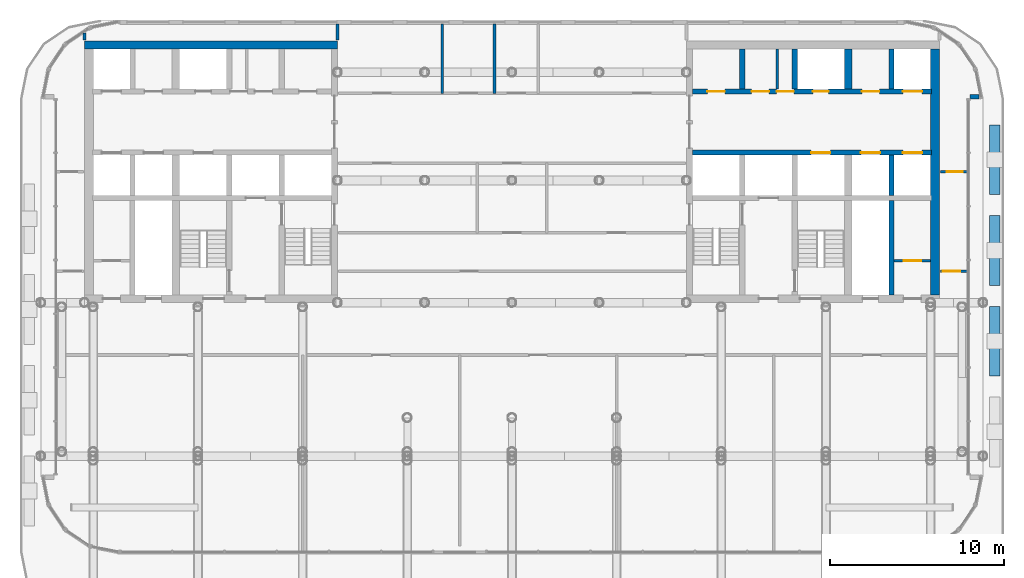
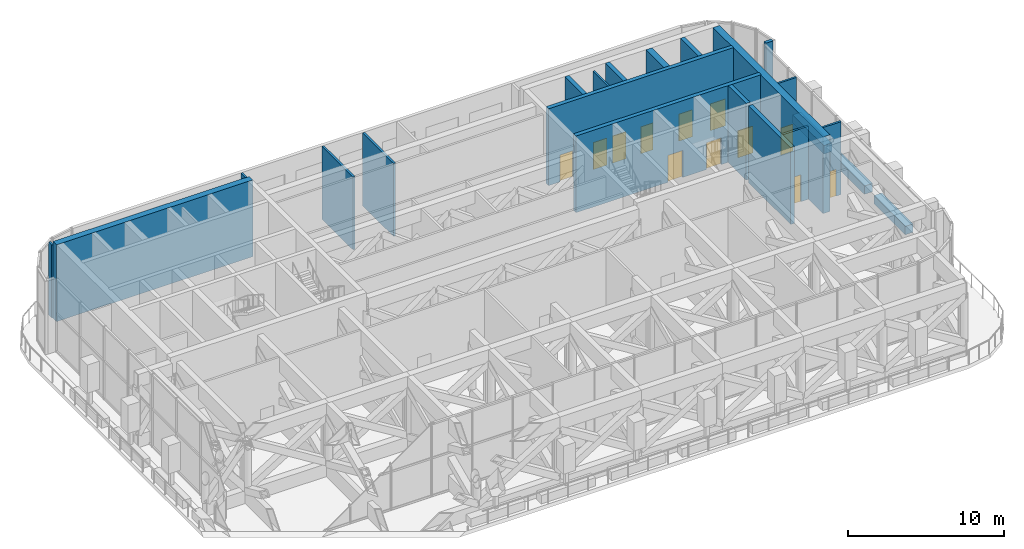
# One storey, part 14 of 20: 22 walls, 12 doors, 12 openings.
"""IFC4 building model written with IfcOpenShell, lengths in metres."""

from ifc_helpers import new_model, si_unit, direction, frame, frame_2d, origin, place, context, subcontext, project, spatial, rectangle, extrude, material, layer, layer_set, type_object, element, fill, save


model = new_model("IFC4")

# Units and contexts
model_context = context("Model", 3, precision=1e-05, world=origin(), true_north=direction((0.0, 1.0)))
body_context = subcontext(model_context, "Body", "Model", "MODEL_VIEW")
ifc_project = project(units=[si_unit("LENGTHUNIT", "METRE"), si_unit("AREAUNIT", "SQUARE_METRE"), si_unit("VOLUMEUNIT", "CUBIC_METRE"), si_unit("PLANEANGLEUNIT", "RADIAN"), si_unit("MASSUNIT", "GRAM", prefix="KILO")], contexts=[model_context])

# Site, building, storey
site_placement = place(None, origin())
site = spatial("IfcSite", under=ifc_project, at=site_placement, CompositionType="ELEMENT")
building_placement = place(site_placement, origin())
building = spatial("IfcBuilding", under=site, at=building_placement, Name="Torana Hotel and Residences", CompositionType="ELEMENT")
storey_placement = place(building_placement, frame((0.0, 0.0, 177.60009765625)))
storey = spatial("IfcBuildingStorey", under=building, at=storey_placement, Name="L46", CompositionType="ELEMENT", Elevation=177.60009765625)

# Wall, openings, doors
ifc_material_1 = material(Name="Concrete C70/85", Category="concrete")
ifc_layer_1 = layer(ifc_material_1, 0.300048828125)
ifc_layer_set_1 = layer_set([ifc_layer_1], Name="CORE WALL 300 C70/85")
wall_type_1 = type_object("IfcWallType", Name="CORE WALL 300 C70/85", PredefinedType="SHEAR", material=ifc_layer_set_1)
wall_1_placement = place(storey_placement, frame((10.35009765625, -2.89990234375, 0.0), z_axis=(0.0, 0.0, 1.0), x_axis=(1.0, 0.0, 0.0)))
wall_1 = element("IfcWall", 1, at=wall_1_placement, inside=storey, type_object=wall_type_1, Name="Core wall E row-N", PredefinedType="SHEAR", context=body_context, shape_type="SweptSolid", body=[
    extrude(rectangle(XDim=13.699951171875, YDim=0.300048828125, at=frame_2d((6.85009765625, 0.0))), origin(), (0.0, 0.0, 1.0), 6.0),
])
opening_1_placement = place(wall_1_placement, frame((12.050048828125, 0.0, 0.0)))
opening_1 = element("IfcOpeningElement", 2, at=opening_1_placement, cuts=wall_1, Name="Opening LD", PredefinedType="OPENING", context=body_context, shape_type="SweptSolid", body=[
    extrude(rectangle(XDim=1.10009765625, YDim=2.10009765625, at=frame_2d((0.550048828125, 1.050048828125))), frame((0.0, 0.159912109375, 0.0), z_axis=(0.0, -1.0, 0.0), x_axis=(1.0, 0.0, 0.0)), (0.0, 0.0, 1.0), 0.320068359375),
])
opening_2_placement = place(wall_1_placement, frame((6.89990234375, 0.0, 0.0)))
opening_2 = element("IfcOpeningElement", 3, at=opening_2_placement, cuts=wall_1, Name="Opening L46-22", PredefinedType="OPENING", context=body_context, shape_type="SweptSolid", body=[
    extrude(rectangle(XDim=0.89990234375, YDim=2.10009765625, at=frame_2d((0.449951171875, 1.050048828125))), frame((0.0, 0.159912109375, 0.0), z_axis=(0.0, -1.0, 0.0), x_axis=(1.0, 0.0, 0.0)), (0.0, 0.0, 1.0), 0.320068359375),
])
opening_3_placement = place(wall_1_placement, frame((0.85009765625, 0.0, 0.0)))
opening_3 = element("IfcOpeningElement", 4, at=opening_3_placement, cuts=wall_1, Name="Opening L46-23", PredefinedType="OPENING", context=body_context, shape_type="SweptSolid", body=[
    extrude(rectangle(XDim=1.0, YDim=2.10009765625, at=frame_2d((0.5, 1.050048828125))), frame((0.0, 0.159912109375, 0.0), z_axis=(0.0, -1.0, 0.0), x_axis=(1.0, 0.0, 0.0)), (0.0, 0.0, 1.0), 0.320068359375),
])
opening_4_placement = place(wall_1_placement, frame((3.387451171875, 0.0, 0.0)))
opening_4 = element("IfcOpeningElement", 5, at=opening_4_placement, cuts=wall_1, Name="Opening L46-24", PredefinedType="OPENING", context=body_context, shape_type="SweptSolid", body=[
    extrude(rectangle(XDim=1.0, YDim=2.10009765625, at=frame_2d((0.5, 1.050048828125))), frame((0.0, 0.159912109375, 0.0), z_axis=(0.0, -1.0, 0.0), x_axis=(1.0, 0.0, 0.0)), (0.0, 0.0, 1.0), 0.320068359375),
])
opening_5_placement = place(wall_1_placement, frame((4.8125, 0.0, 0.0)))
opening_5 = element("IfcOpeningElement", 6, at=opening_5_placement, cuts=wall_1, Name="Opening L46-25", PredefinedType="OPENING", context=body_context, shape_type="SweptSolid", body=[
    extrude(rectangle(XDim=1.0, YDim=2.10009765625, at=frame_2d((0.5, 1.050048828125))), frame((0.0, 0.159912109375, 0.0), z_axis=(0.0, -1.0, 0.0), x_axis=(1.0, 0.0, 0.0)), (0.0, 0.0, 1.0), 0.320068359375),
])
opening_6_placement = place(wall_1_placement, frame((9.699951171875, 0.0, 0.0)))
opening_6 = element("IfcOpeningElement", 7, at=opening_6_placement, cuts=wall_1, Name="Opening L46-26", PredefinedType="OPENING", context=body_context, shape_type="SweptSolid", body=[
    extrude(rectangle(XDim=1.0, YDim=2.10009765625, at=frame_2d((0.5, 1.050048828125))), frame((0.0, 0.159912109375, 0.0), z_axis=(0.0, -1.0, 0.0), x_axis=(1.0, 0.0, 0.0)), (0.0, 0.0, 1.0), 0.320068359375),
])
ifc_material_2 = material(Name="Steel S235", Category="steel")
door_type_1 = type_object("IfcDoorType", Name="CORE ROOM FIRE DOOR D14 1000x2100", OperationType="SINGLE_SWING_LEFT", PredefinedType="DOOR", material=ifc_material_2)
door_1_placement = place(opening_3_placement, origin())
door_1 = element("IfcDoor", 8, at=door_1_placement, inside=storey, type_object=door_type_1, Name="N0 door L46", OperationType="SINGLE_SWING_RIGHT", OverallHeight=2.10009765625, OverallWidth=1.0, PredefinedType="DOOR", context=body_context, shape_type="SweptSolid", body=[
    extrude(rectangle(XDim=1.0, YDim=2.10009765625, at=frame_2d((0.5, 1.050048828125))), frame((0.0, 0.02490234375, 0.0), z_axis=(0.0, -1.0, 0.0), x_axis=(1.0, 0.0, 0.0)), (0.0, 0.0, 1.0), 0.050048828125),
])
fill(opening_3, door_1)
door_2_placement = place(opening_4_placement, origin())
door_2 = element("IfcDoor", 9, at=door_2_placement, inside=storey, type_object=door_type_1, Name="N1A door L46", OperationType="SINGLE_SWING_RIGHT", OverallHeight=2.10009765625, OverallWidth=1.0, PredefinedType="DOOR", context=body_context, shape_type="SweptSolid", body=[
    extrude(rectangle(XDim=1.0, YDim=2.10009765625, at=frame_2d((0.5, 1.050048828125))), frame((0.0, 0.02490234375, 0.0), z_axis=(0.0, -1.0, 0.0), x_axis=(1.0, 0.0, 0.0)), (0.0, 0.0, 1.0), 0.050048828125),
])
fill(opening_4, door_2)
door_3_placement = place(opening_5_placement, origin())
door_3 = element("IfcDoor", 10, at=door_3_placement, inside=storey, type_object=door_type_1, Name="N1B door L46", OperationType="SINGLE_SWING_LEFT", OverallHeight=2.10009765625, OverallWidth=1.0, PredefinedType="DOOR", context=body_context, shape_type="SweptSolid", body=[
    extrude(rectangle(XDim=1.0, YDim=2.10009765625, at=frame_2d((0.5, 1.050048828125))), frame((0.0, 0.02490234375, 0.0), z_axis=(0.0, -1.0, 0.0), x_axis=(1.0, 0.0, 0.0)), (0.0, 0.0, 1.0), 0.050048828125),
])
fill(opening_5, door_3)
door_4_placement = place(opening_6_placement, origin())
door_4 = element("IfcDoor", 11, at=door_4_placement, inside=storey, type_object=door_type_1, Name="Freed-S2 door L46", OperationType="SINGLE_SWING_RIGHT", OverallHeight=2.10009765625, OverallWidth=1.0, PredefinedType="DOOR", context=body_context, shape_type="SweptSolid", body=[
    extrude(rectangle(XDim=1.0, YDim=2.10009765625, at=frame_2d((0.5, 1.050048828125))), frame((0.0, 0.02490234375, 0.0), z_axis=(0.0, -1.0, 0.0), x_axis=(1.0, 0.0, 0.0)), (0.0, 0.0, 1.0), 0.050048828125),
])
fill(opening_6, door_4)
ifc_material_3 = material(Name="Stainless steel 316", Category="steel")
door_type_2 = type_object("IfcDoorType", Name="LIFT LANDING DOOR LD 1100x2100", OperationType="DOUBLE_DOOR_SLIDING", PredefinedType="USERDEFINED", material=ifc_material_3)
door_5_placement = place(opening_1_placement, origin())
door_5 = element("IfcDoor", 12, at=door_5_placement, inside=storey, type_object=door_type_2, Name="Lift landing door M3 L46", ObjectType="LIFT LANDING DOOR", OperationType="DOUBLE_DOOR_SLIDING", OverallHeight=2.10009765625, OverallWidth=1.10009765625, PredefinedType="USERDEFINED", context=body_context, shape_type="SweptSolid", body=[
    extrude(rectangle(XDim=1.10009765625, YDim=2.10009765625, at=frame_2d((0.550048828125, 1.050048828125))), frame((0.0, 0.02490234375, 0.0), z_axis=(0.0, -1.0, 0.0), x_axis=(1.0, 0.0, 0.0)), (0.0, 0.0, 1.0), 0.050048828125),
])
fill(opening_1, door_5)
ifc_material_4 = material(Name="Steel S235", Category="steel")
door_type_3 = type_object("IfcDoorType", Name="RISER ACCESS DOOR D5 900x2100", OperationType="SINGLE_SWING_LEFT", PredefinedType="DOOR", material=ifc_material_4)
door_6_placement = place(opening_2_placement, origin())
door_6 = element("IfcDoor", 13, at=door_6_placement, inside=storey, type_object=door_type_3, Name="N2 door L46", OperationType="SINGLE_SWING_RIGHT", OverallHeight=2.10009765625, OverallWidth=0.89990234375, PredefinedType="DOOR", context=body_context, shape_type="SweptSolid", body=[
    extrude(rectangle(XDim=0.89990234375, YDim=2.10009765625, at=frame_2d((0.449951171875, 1.050048828125))), frame((0.0, 0.02490234375, 0.0), z_axis=(0.0, -1.0, 0.0), x_axis=(1.0, 0.0, 0.0)), (0.0, 0.0, 1.0), 0.050048828125),
])
fill(opening_2, door_6)

wall_2_placement = place(storey_placement, frame((10.35009765625, -6.39990234375, 0.0), z_axis=(0.0, 0.0, 1.0), x_axis=(1.0, 0.0, 0.0)))
wall_2 = element("IfcWall", 14, at=wall_2_placement, inside=storey, type_object=wall_type_1, Name="Core wall E row-S", PredefinedType="SHEAR", context=body_context, shape_type="SweptSolid", body=[
    extrude(rectangle(XDim=13.699951171875, YDim=0.300048828125, at=frame_2d((6.85009765625, 0.0))), origin(), (0.0, 0.0, 1.0), 6.0),
])
opening_7_placement = place(wall_2_placement, frame((9.64990234375, 0.0, 0.0)))
opening_7 = element("IfcOpeningElement", 15, at=opening_7_placement, cuts=wall_2, Name="Opening LD", PredefinedType="OPENING", context=body_context, shape_type="SweptSolid", body=[
    extrude(rectangle(XDim=1.10009765625, YDim=2.10009765625, at=frame_2d((0.550048828125, 1.050048828125))), frame((0.0, 0.159912109375, 0.0), z_axis=(0.0, -1.0, 0.0), x_axis=(1.0, 0.0, 0.0)), (0.0, 0.0, 1.0), 0.320068359375),
])
opening_8_placement = place(wall_2_placement, frame((12.050048828125, 0.0, 0.0)))
opening_8 = element("IfcOpeningElement", 16, at=opening_8_placement, cuts=wall_2, Name="Opening LD", PredefinedType="OPENING", context=body_context, shape_type="SweptSolid", body=[
    extrude(rectangle(XDim=1.10009765625, YDim=2.10009765625, at=frame_2d((0.550048828125, 1.050048828125))), frame((0.0, 0.159912109375, 0.0), z_axis=(0.0, -1.0, 0.0), x_axis=(1.0, 0.0, 0.0)), (0.0, 0.0, 1.0), 0.320068359375),
])
opening_9_placement = place(wall_2_placement, frame((6.800048828125, 0.0, 0.0)))
opening_9 = element("IfcOpeningElement", 17, at=opening_9_placement, cuts=wall_2, Name="Opening LD", PredefinedType="OPENING", context=body_context, shape_type="SweptSolid", body=[
    extrude(rectangle(XDim=1.10009765625, YDim=2.10009765625, at=frame_2d((0.550048828125, 1.050048828125))), frame((0.0, 0.159912109375, 0.0), z_axis=(0.0, -1.0, 0.0), x_axis=(1.0, 0.0, 0.0)), (0.0, 0.0, 1.0), 0.320068359375),
])
door_7_placement = place(opening_7_placement, origin())
door_7 = element("IfcDoor", 18, at=door_7_placement, inside=storey, type_object=door_type_2, Name="Lift landing door S4 L46", ObjectType="LIFT LANDING DOOR", OperationType="DOUBLE_DOOR_SLIDING", OverallHeight=2.10009765625, OverallWidth=1.10009765625, PredefinedType="USERDEFINED", context=body_context, shape_type="SweptSolid", body=[
    extrude(rectangle(XDim=1.10009765625, YDim=2.10009765625, at=frame_2d((0.550048828125, 1.050048828125))), frame((0.0, 0.02490234375, 0.0), z_axis=(0.0, -1.0, 0.0), x_axis=(1.0, 0.0, 0.0)), (0.0, 0.0, 1.0), 0.050048828125),
])
fill(opening_7, door_7)
door_8_placement = place(opening_8_placement, origin())
door_8 = element("IfcDoor", 19, at=door_8_placement, inside=storey, type_object=door_type_2, Name="Lift landing door M4 L46", ObjectType="LIFT LANDING DOOR", OperationType="DOUBLE_DOOR_SLIDING", OverallHeight=2.10009765625, OverallWidth=1.10009765625, PredefinedType="USERDEFINED", context=body_context, shape_type="SweptSolid", body=[
    extrude(rectangle(XDim=1.10009765625, YDim=2.10009765625, at=frame_2d((0.550048828125, 1.050048828125))), frame((0.0, 0.02490234375, 0.0), z_axis=(0.0, -1.0, 0.0), x_axis=(1.0, 0.0, 0.0)), (0.0, 0.0, 1.0), 0.050048828125),
])
fill(opening_8, door_8)
door_9_placement = place(opening_9_placement, origin())
door_9 = element("IfcDoor", 20, at=door_9_placement, inside=storey, type_object=door_type_2, Name="Lift landing door SV2 L46", ObjectType="LIFT LANDING DOOR", OperationType="DOUBLE_DOOR_SLIDING", OverallHeight=2.10009765625, OverallWidth=1.10009765625, PredefinedType="USERDEFINED", context=body_context, shape_type="SweptSolid", body=[
    extrude(rectangle(XDim=1.10009765625, YDim=2.10009765625, at=frame_2d((0.550048828125, 1.050048828125))), frame((0.0, 0.02490234375, 0.0), z_axis=(0.0, -1.0, 0.0), x_axis=(1.0, 0.0, 0.0)), (0.0, 0.0, 1.0), 0.050048828125),
])
fill(opening_9, door_9)

# Walls
for number, where, z_axis, x_axis, name in (
    (21, (13.199951171875, -2.75, 0.0), (0.0, 0.0, 1.0), (0.0, 1.0, 0.0), "Core wall E x3.05-N"),
    (22, (16.199951171875, -2.75, 0.0), (0.0, 0.0, 1.0), (0.0, 1.0, 0.0), "Core wall E x6.05-N"),
    (23, (21.75, -2.75, 0.0), (0.0, 0.0, 1.0), (0.0, 1.0, 0.0), "Core wall E mm-N"),
    (24, (21.75, -8.85009765625, 0.0), (0.0, 0.0, 1.0), (0.0, 1.0, 0.0), "Core wall E mm-S"),
):
    element("IfcWall", number, at=place(storey_placement, frame(where, z_axis=z_axis, x_axis=x_axis)), inside=storey, type_object=wall_type_1, Name=name, PredefinedType="SHEAR", context=body_context, shape_type="SweptSolid", body=[
        extrude(rectangle(XDim=2.300048828125, YDim=0.300048828125, at=frame_2d((1.14990234375, 0.0))), origin(), (0.0, 0.0, 1.0), 6.0),
    ])
wall_3_placement = place(storey_placement, frame((21.75, -14.550048828125, 0.0), z_axis=(0.0, 0.0, 1.0), x_axis=(0.0, 1.0, 0.0)))
element("IfcWall", 25, at=wall_3_placement, inside=storey, type_object=wall_type_1, Name="Core wall E mm-band", PredefinedType="SHEAR", context=body_context, shape_type="SweptSolid", body=[
    extrude(rectangle(XDim=5.400146484375, YDim=0.300048828125, at=frame_2d((2.7001953125, 0.0))), origin(), (0.0, 0.0, 1.0), 6.0),
])
ifc_material_5 = material(Name="Concrete C70/85", Category="concrete")
ifc_layer_2 = layer(ifc_material_5, 0.449951171875)
ifc_layer_set_2 = layer_set([ifc_layer_2], Name="CORE WALL 450 C70/85")
wall_type_2 = type_object("IfcWallType", Name="CORE WALL 450 C70/85", PredefinedType="SHEAR", material=ifc_layer_set_2)
wall_4_placement = place(storey_placement, frame((-24.5, -0.22509765625, 0.0), z_axis=(0.0, 0.0, 1.0), x_axis=(1.0, 0.0, 0.0)))
element("IfcWall", 26, at=wall_4_placement, inside=storey, type_object=wall_type_2, Name="Core wall W rear", PredefinedType="SHEAR", context=body_context, shape_type="SweptSolid", body=[
    extrude(rectangle(XDim=14.5, YDim=0.449951171875, at=frame_2d((7.25, 0.0))), origin(), (0.0, 0.0, 1.0), 6.0),
])
wall_5_placement = place(storey_placement, frame((19.27490234375, -2.75, 0.0), z_axis=(0.0, 0.0, 1.0), x_axis=(0.0, 1.0, 0.0)))
element("IfcWall", 27, at=wall_5_placement, inside=storey, type_object=wall_type_2, Name="Core wall E hm-N", PredefinedType="SHEAR", context=body_context, shape_type="SweptSolid", body=[
    extrude(rectangle(XDim=2.300048828125, YDim=0.449951171875, at=frame_2d((1.14990234375, 0.0))), origin(), (0.0, 0.0, 1.0), 6.0),
])
ifc_material_6 = material(Name="Concrete C70/85", Category="concrete")
ifc_layer_3 = layer(ifc_material_6, 0.5)
ifc_layer_set_3 = layer_set([ifc_layer_3], Name="CORE WALL 500 C70/85")
wall_type_3 = type_object("IfcWallType", Name="CORE WALL 500 C70/85", PredefinedType="SHEAR", material=ifc_layer_set_3)
wall_6_placement = place(storey_placement, frame((24.25, -14.550048828125, 0.0), z_axis=(0.0, 0.0, 1.0), x_axis=(0.0, 1.0, 0.0)))
element("IfcWall", 28, at=wall_6_placement, inside=storey, type_object=wall_type_3, Name="Core wall E outer", PredefinedType="SHEAR", context=body_context, shape_type="SweptSolid", body=[
    extrude(rectangle(XDim=14.10009765625, YDim=0.5, at=frame_2d((7.050048828125, 0.0))), origin(), (0.0, 0.0, 1.0), 6.0),
])
ifc_material_7 = material(Name="Black aluminium composite panel", Category="aluminium")
ifc_layer_4 = layer(ifc_material_7, 0.00390625, Name="Cladding", Category="cladding")
ifc_material_8 = material(Name="Ventilated air cavity")
ifc_layer_5 = layer(ifc_material_8, 0.0400390625, Name="Ventilated cavity", Category="cavity")
ifc_material_9 = material(Name="Mineral wool insulation")
ifc_layer_6 = layer(ifc_material_9, 0.090087890625, Name="Insulation", Category="insulation")
ifc_material_10 = material(Name="Steel S280GD", Category="steel")
ifc_layer_7 = layer(ifc_material_10, 0.092041015625, Name="Steel stud frame", Category="structure")
ifc_material_11 = material(Name="Fire rated plasterboard")
ifc_layer_8 = layer(ifc_material_11, 0.011962890625, Name="Inner board", Category="finish")
ifc_layer_9 = layer(ifc_material_11, 0.011962890625, Name="Second board", Category="finish")
ifc_layer_set_4 = layer_set([ifc_layer_4, ifc_layer_5, ifc_layer_6, ifc_layer_7, ifc_layer_8, ifc_layer_9], Name="EW1 EXTERNAL WALL BLACK METAL CLAD 250")
wall_type_4 = type_object("IfcWallType", Name="EW1 EXTERNAL WALL BLACK METAL CLAD 250", PredefinedType="SOLIDWALL", material=ifc_layer_set_4)
wall_7_placement = place(storey_placement, frame((26.2548828125, -3.19970703125, 0.0), z_axis=(0.0, 0.0, 1.0), x_axis=(1.0, 0.0, 0.0)))
element("IfcWall", 29, at=wall_7_placement, inside=storey, type_object=wall_type_4, Name="External wall L46 e0.19 return 2", PredefinedType="SOLIDWALL", context=body_context, shape_type="SweptSolid", body=[
    extrude(rectangle(XDim=0.525146484375, YDim=0.25, at=frame_2d((0.2626953125, 0.0))), origin(), (0.0, 0.0, 1.0), 5.719970703125),
])
ifc_material_12 = material(Name="Gypsum plaster")
ifc_layer_10 = layer(ifc_material_12, 0.014892578125, Name="Plaster", Category="finish")
ifc_material_13 = material(Name="Concrete blockwork", Category="masonry")
ifc_layer_11 = layer(ifc_material_13, 0.1201171875, Name="Blockwork", Category="structure")
ifc_layer_12 = layer(ifc_material_12, 0.014892578125, Name="Plaster", Category="finish")
ifc_layer_set_5 = layer_set([ifc_layer_10, ifc_layer_11, ifc_layer_12], Name="FIRE PARTITION 150 BLOCKWORK")
wall_type_5 = type_object("IfcWallType", Name="FIRE PARTITION 150 BLOCKWORK", PredefinedType="PARTITIONING", material=ifc_layer_set_5)
wall_8_placement = place(storey_placement, frame((15.199951171875, -2.75, 0.0), z_axis=(0.0, 0.0, 1.0), x_axis=(0.0, 1.0, 0.0)))
element("IfcWall", 30, at=wall_8_placement, inside=storey, type_object=wall_type_5, Name="Core partition L46", PredefinedType="PARTITIONING", context=body_context, shape_type="SweptSolid", body=[
    extrude(rectangle(XDim=2.300048828125, YDim=0.14990234375, at=frame_2d((1.14990234375, 0.0))), origin(), (0.0, 0.0, 1.0), 5.699951171875),
])

# Wall, opening, door
wall_9_placement = place(storey_placement, frame((21.89990234375, -12.60009765625, 0.0), z_axis=(0.0, 0.0, 1.0), x_axis=(1.0, 0.0, 0.0)))
wall_9 = element("IfcWall", 31, at=wall_9_placement, inside=storey, type_object=wall_type_5, Name="Core partition L46", PredefinedType="PARTITIONING", context=body_context, shape_type="SweptSolid", body=[
    extrude(rectangle(XDim=2.10009765625, YDim=0.14990234375, at=frame_2d((1.050048828125, 0.0))), origin(), (0.0, 0.0, 1.0), 5.699951171875),
])
opening_10_placement = place(wall_9_placement, frame((0.550048828125, 0.0, 0.0)))
opening_10 = element("IfcOpeningElement", 32, at=opening_10_placement, cuts=wall_9, Name="Opening L46-30", PredefinedType="OPENING", context=body_context, shape_type="SweptSolid", body=[
    extrude(rectangle(XDim=1.0, YDim=2.10009765625, at=frame_2d((0.5, 1.050048828125))), frame((0.0, 0.0849609375, 0.0), z_axis=(0.0, -1.0, 0.0), x_axis=(1.0, 0.0, 0.0)), (0.0, 0.0, 1.0), 0.169921875),
])
door_10_placement = place(opening_10_placement, origin())
door_10 = element("IfcDoor", 33, at=door_10_placement, inside=storey, type_object=door_type_1, Name="Plant room door L46", OperationType="SINGLE_SWING_RIGHT", OverallHeight=2.10009765625, OverallWidth=1.0, PredefinedType="DOOR", context=body_context, shape_type="SweptSolid", body=[
    extrude(rectangle(XDim=1.0, YDim=2.10009765625, at=frame_2d((0.5, 1.050048828125))), frame((0.0, 0.02490234375, 0.0), z_axis=(0.0, -1.0, 0.0), x_axis=(1.0, 0.0, 0.0)), (0.0, 0.0, 1.0), 0.050048828125),
])
fill(opening_10, door_10)

wall_10_placement = place(storey_placement, frame((24.550048828125, -13.199951171875, 0.0), z_axis=(0.0, 0.0, 1.0), x_axis=(1.0, 0.0, 0.0)))
wall_10 = element("IfcWall", 34, at=wall_10_placement, inside=storey, type_object=wall_type_5, Name="Partition L46", PredefinedType="PARTITIONING", context=body_context, shape_type="SweptSolid", body=[
    extrude(rectangle(XDim=1.52490234375, YDim=0.14990234375, at=frame_2d((0.762451171875, 0.0))), origin(), (0.0, 0.0, 1.0), 5.699951171875),
])
opening_11_placement = place(wall_10_placement, frame((0.14990234375, 0.0, 0.0)))
opening_11 = element("IfcOpeningElement", 35, at=opening_11_placement, cuts=wall_10, Name="Opening L46-38", PredefinedType="OPENING", context=body_context, shape_type="SweptSolid", body=[
    extrude(rectangle(XDim=1.0, YDim=2.10009765625, at=frame_2d((0.5, 1.050048828125))), frame((0.0, 0.0849609375, 0.0), z_axis=(0.0, -1.0, 0.0), x_axis=(1.0, 0.0, 0.0)), (0.0, 0.0, 1.0), 0.169921875),
])
door_11_placement = place(opening_11_placement, origin())
door_11 = element("IfcDoor", 36, at=door_11_placement, inside=storey, type_object=door_type_1, Name="Door L46", OperationType="SINGLE_SWING_RIGHT", OverallHeight=2.10009765625, OverallWidth=1.0, PredefinedType="DOOR", context=body_context, shape_type="SweptSolid", body=[
    extrude(rectangle(XDim=1.0, YDim=2.10009765625, at=frame_2d((0.5, 1.050048828125))), frame((0.0, 0.02490234375, 0.0), z_axis=(0.0, -1.0, 0.0), x_axis=(1.0, 0.0, 0.0)), (0.0, 0.0, 1.0), 0.050048828125),
])
fill(opening_11, door_11)

# Walls
ifc_material_14 = material(Name="Gypsum plasterboard")
ifc_layer_13 = layer(ifc_material_14, 0.012451171875, Name="Plasterboard", Category="finish")
ifc_layer_14 = layer(ifc_material_14, 0.012451171875, Name="Plasterboard", Category="finish")
ifc_layer_15 = layer(ifc_material_10, 0.10009765625, Name="Steel studs with mineral wool", Category="insulation")
ifc_layer_16 = layer(ifc_material_14, 0.012451171875, Name="Plasterboard", Category="finish")
ifc_layer_17 = layer(ifc_material_14, 0.012451171875, Name="Plasterboard", Category="finish")
ifc_layer_set_6 = layer_set([ifc_layer_13, ifc_layer_14, ifc_layer_15, ifc_layer_16, ifc_layer_17], Name="PARTITION 150 PLASTERBOARD")
wall_type_6 = type_object("IfcWallType", Name="PARTITION 150 PLASTERBOARD", PredefinedType="PARTITIONING", material=ifc_layer_set_6)
wall_11_placement = place(storey_placement, frame((-10.0, 0.050048828125, 0.0), z_axis=(0.0, 0.0, 1.0), x_axis=(0.0, 1.0, 0.0)))
element("IfcWall", 37, at=wall_11_placement, inside=storey, type_object=wall_type_6, Name="Partition L46", PredefinedType="PARTITIONING", context=body_context, shape_type="SweptSolid", body=[
    extrude(rectangle(XDim=0.909912109375, YDim=0.14990234375, at=frame_2d((0.455078125, 0.0))), origin(), (0.0, 0.0, 1.0), 5.699951171875),
])
wall_12_placement = place(storey_placement, frame((-24.5, 0.050048828125, 0.0), z_axis=(0.0, 0.0, 1.0), x_axis=(0.0, 1.0, 0.0)))
element("IfcWall", 38, at=wall_12_placement, inside=storey, type_object=wall_type_6, Name="Partition L46", PredefinedType="PARTITIONING", context=body_context, shape_type="SweptSolid", body=[
    extrude(rectangle(XDim=0.4052734375, YDim=0.14990234375, at=frame_2d((0.20263671875, 0.0))), origin(), (0.0, 0.0, 1.0), 5.699951171875),
])

# Wall, opening, door
wall_13_placement = place(storey_placement, frame((24.550048828125, -7.5, 0.0), z_axis=(0.0, 0.0, 1.0), x_axis=(1.0, 0.0, 0.0)))
wall_13 = element("IfcWall", 39, at=wall_13_placement, inside=storey, type_object=wall_type_6, Name="Partition L46", PredefinedType="PARTITIONING", context=body_context, shape_type="SweptSolid", body=[
    extrude(rectangle(XDim=1.52490234375, YDim=0.14990234375, at=frame_2d((0.762451171875, 0.0))), origin(), (0.0, 0.0, 1.0), 5.699951171875),
])
opening_12_placement = place(wall_13_placement, frame((0.376953125, 0.0, 0.0)))
opening_12 = element("IfcOpeningElement", 40, at=opening_12_placement, cuts=wall_13, Name="Opening L46-48", PredefinedType="OPENING", context=body_context, shape_type="SweptSolid", body=[
    extrude(rectangle(XDim=0.89990234375, YDim=2.10009765625, at=frame_2d((0.449951171875, 1.050048828125))), frame((0.0, 0.0849609375, 0.0), z_axis=(0.0, -1.0, 0.0), x_axis=(1.0, 0.0, 0.0)), (0.0, 0.0, 1.0), 0.169921875),
])
ifc_material_15 = material(Name="Timber door, oiled ash", Category="wood")
door_type_4 = type_object("IfcDoorType", Name="ROOM DOOR D7 900x2100", OperationType="SINGLE_SWING_LEFT", PredefinedType="DOOR", material=ifc_material_15)
door_12_placement = place(opening_12_placement, origin())
door_12 = element("IfcDoor", 41, at=door_12_placement, inside=storey, type_object=door_type_4, Name="Door L46", OperationType="SINGLE_SWING_LEFT", OverallHeight=2.10009765625, OverallWidth=0.89990234375, PredefinedType="DOOR", context=body_context, shape_type="SweptSolid", body=[
    extrude(rectangle(XDim=0.89990234375, YDim=2.10009765625, at=frame_2d((0.449951171875, 1.050048828125))), frame((0.0, 0.02490234375, 0.0), z_axis=(0.0, -1.0, 0.0), x_axis=(1.0, 0.0, 0.0)), (0.0, 0.0, 1.0), 0.050048828125),
])
fill(opening_12, door_12)

# Walls
ifc_material_16 = material(Name="Concrete C40/50 precast", Category="concrete")
ifc_layer_18 = layer(ifc_material_16, 0.10009765625, Name="Planter shell", Category="structure")
ifc_material_17 = material(Name="Root resistant membrane")
ifc_layer_19 = layer(ifc_material_17, 0.00390625, Name="Waterproofing membrane", Category="membrane")
ifc_material_18 = material(Name="Drainage board with filter fleece")
ifc_layer_20 = layer(ifc_material_18, 0.02001953125, Name="Drainage board", Category="drainage")
ifc_material_19 = material(Name="Growing medium")
ifc_layer_21 = layer(ifc_material_19, 0.47607421875, Name="Planting substrate", Category="soil")
ifc_layer_set_7 = layer_set([ifc_layer_18, ifc_layer_19, ifc_layer_20, ifc_layer_21], Name="PL1 BALCONY PLANTER 600")
wall_type_7 = type_object("IfcWallType", Name="PL1 BALCONY PLANTER 600", PredefinedType="USERDEFINED", material=ifc_layer_set_7)
for number, where, z_axis, x_axis, name in (
    (42, (27.669921875, -4.807861328125, 0.0), (0.0, 0.0, 1.0), (0.0, -1.0, 0.0), "Planter L46 1.1"),
    (43, (27.669921875, -10.0078125, 0.0), (0.0, 0.0, 1.0), (0.0, -1.0, 0.0), "Planter L46 1.2"),
    (44, (27.669921875, -15.2080078125, 0.0), (0.0, 0.0, 1.0), (0.0, -1.0, 0.0), "Planter L46 1.3"),
):
    element("IfcWall", number, at=place(storey_placement, frame(where, z_axis=z_axis, x_axis=x_axis)), inside=storey, type_object=wall_type_7, Name=name, ObjectType="PLANTER", PredefinedType="USERDEFINED", context=body_context, shape_type="SweptSolid", body=[
        extrude(rectangle(XDim=4.0, YDim=0.60009765625, at=frame_2d((2.0, 0.0))), origin(), (0.0, 0.0, 1.0), 0.64990234375),
    ])
ifc_material_20 = material(Name="Ceramic tile on adhesive")
ifc_layer_22 = layer(ifc_material_20, 0.010009765625, Name="Wall tile", Category="finish")
ifc_material_21 = material(Name="Cement render")
ifc_layer_23 = layer(ifc_material_21, 0.010009765625, Name="Render", Category="finish")
ifc_layer_24 = layer(ifc_material_13, 0.110107421875, Name="Blockwork", Category="structure")
ifc_layer_25 = layer(ifc_material_21, 0.010009765625, Name="Render", Category="finish")
ifc_layer_26 = layer(ifc_material_20, 0.010009765625, Name="Wall tile", Category="finish")
ifc_layer_set_8 = layer_set([ifc_layer_22, ifc_layer_23, ifc_layer_24, ifc_layer_25, ifc_layer_26], Name="WC PARTITION 150")
wall_type_8 = type_object("IfcWallType", Name="WC PARTITION 150", PredefinedType="PLUMBINGWALL", material=ifc_layer_set_8)
for number, where, z_axis, x_axis, name in (
    (45, (-1.0, -3.0, 0.0), (0.0, 0.0, 1.0), (0.0, 1.0, 0.0), "Partition L46"),
    (46, (-4.0, -3.0, 0.0), (0.0, 0.0, 1.0), (0.0, 1.0, 0.0), "Partition L46"),
):
    element("IfcWall", number, at=place(storey_placement, frame(where, z_axis=z_axis, x_axis=x_axis)), inside=storey, type_object=wall_type_8, Name=name, PredefinedType="PLUMBINGWALL", context=body_context, shape_type="SweptSolid", body=[
        extrude(rectangle(XDim=3.9599609375, YDim=0.14990234375, at=frame_2d((1.97998046875, 0.0))), origin(), (0.0, 0.0, 1.0), 5.699951171875),
    ])

save(model, "model.ifc")
